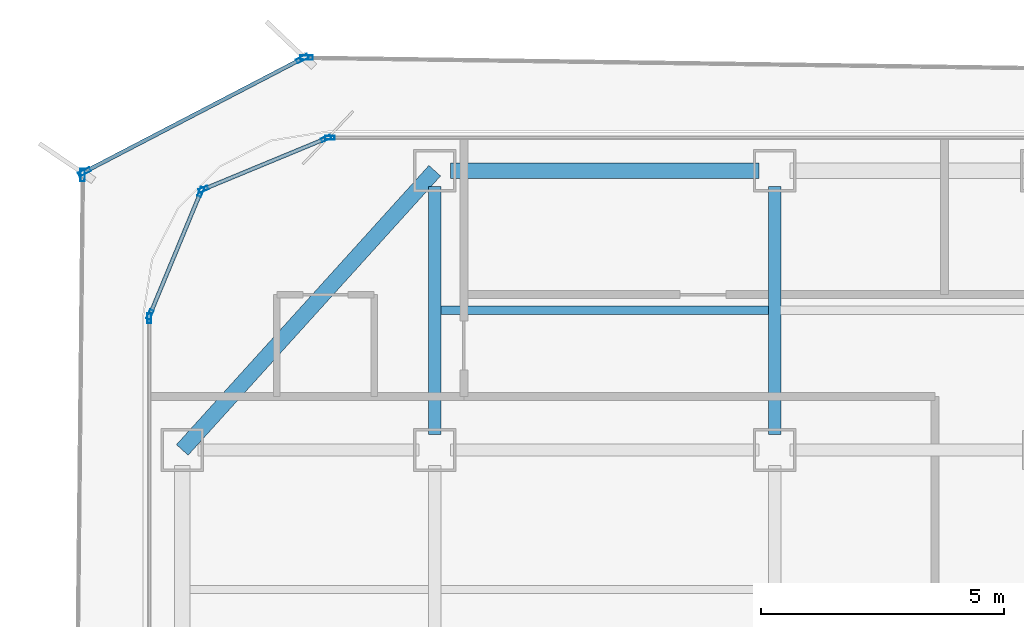
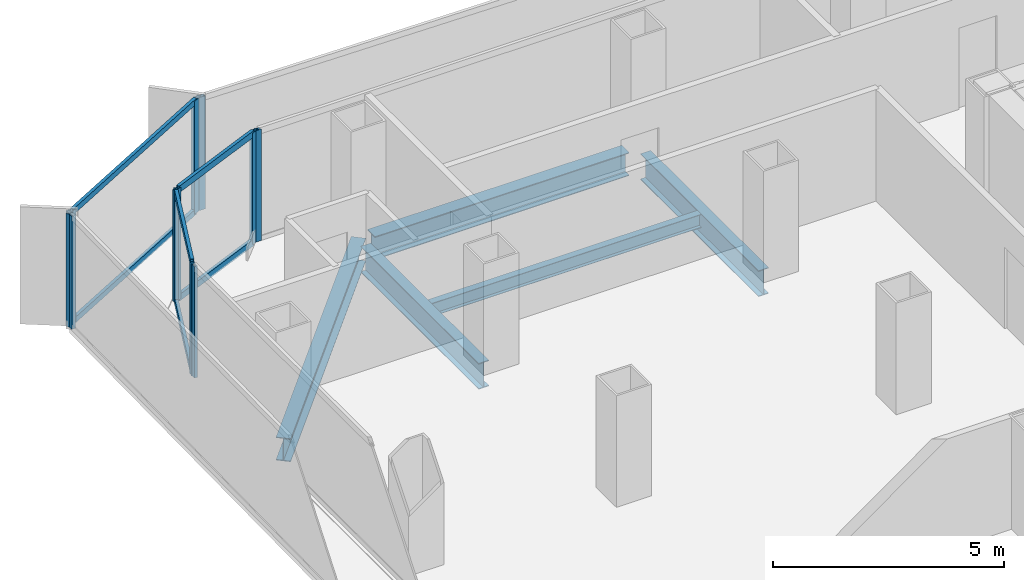
# One storey, part 10 of 21: 16 members, 5 beams, 7 elements without a shape of their own.
"""IFC4 building model written with IfcOpenShell, lengths in metres."""

import ifcopenshell
import ifcopenshell.guid

model = None  # the IFC model being written
_history = None  # IfcOwnerHistory: only IFC2X3 demands one
_inside = {}  # id of a spatial element -> (the spatial element, [elements in it])
_under = {}  # id of a project, library or spatial element -> (it, [spatial elements below it])
_declared = {}  # id of a project -> (the project, [libraries it declares])
_typed = {}  # id of a type object -> (the type object, [elements of that type])
_made_of = {}  # id of a material, layer set ... -> (it, [elements and type objects made of it])


def new_model(schema):
    """Start an empty IFC model of exactly this schema.

    Asked for "IFC4X3", IfcOpenShell would pick the latest addendum, in which some entities
    have other attributes; the version numbers below select the first issue.
    IFC2X3 requires an IfcOwnerHistory on every rooted entity: one is made here for all.
    """
    global model, _history
    if schema == "IFC4X3":
        model = ifcopenshell.file(schema_version=(4, 3, 0, 0))
    else:
        model = ifcopenshell.file(schema=schema)
    _inside.clear()
    _under.clear()
    _declared.clear()
    _typed.clear()
    _made_of.clear()
    _history = None
    if model.schema == "IFC2X3":
        org = make("IfcOrganization", Name="unknown")
        user = make(
            "IfcPersonAndOrganization",
            ThePerson=make("IfcPerson", FamilyName="unknown"),
            TheOrganization=org,
        )
        app = make(
            "IfcApplication",
            ApplicationDeveloper=org,
            Version="unknown",
            ApplicationFullName="unknown",
            ApplicationIdentifier="unknown",
        )
        _history = make(
            "IfcOwnerHistory",
            OwningUser=user,
            OwningApplication=app,
            ChangeAction="ADDED",
            CreationDate=0,
        )
    return model


def make(cls, **values):
    """One entity of the class cls with the attributes given. An attribute that is None is left unset."""
    return model.create_entity(
        cls, **{name: value for name, value in values.items() if value is not None}
    )


def rooted(cls, **values):
    """An entity with a GlobalId (a new one), such as an element, a storey or a relation."""
    return make(cls, GlobalId=ifcopenshell.guid.new(), OwnerHistory=_history, **values)


def si_unit(unit_type, name, prefix=None):
    """IfcSIUnit, for example si_unit("LENGTHUNIT", "METRE", prefix="MILLI")."""
    return make("IfcSIUnit", UnitType=unit_type, Prefix=prefix, Name=name)


def assignment(units):
    """IfcUnitAssignment: the units of a project."""
    return None if units is None else make("IfcUnitAssignment", Units=units)


def point(xyz):
    """IfcCartesianPoint."""
    return None if xyz is None else make("IfcCartesianPoint", Coordinates=xyz)


def direction(xyz):
    """IfcDirection."""
    return None if xyz is None else make("IfcDirection", DirectionRatios=xyz)


def frame(location, z_axis=None, x_axis=None):
    """IfcAxis2Placement3D, a coordinate frame: its origin and axes. An axis left out is left unset."""
    return make(
        "IfcAxis2Placement3D",
        Location=point(location),
        Axis=direction(z_axis),
        RefDirection=direction(x_axis),
    )


def frame_2d(location, x_axis=None):
    """IfcAxis2Placement2D, a coordinate frame in the plane: its origin and x axis."""
    return make(
        "IfcAxis2Placement2D", Location=point(location), RefDirection=direction(x_axis)
    )


def origin():
    """The frame at (0, 0, 0) with its axes left unset."""
    return frame((0.0, 0.0, 0.0))


def origin_2d():
    """The frame at (0, 0) in the plane with its x axis left unset."""
    return frame_2d((0.0, 0.0))


def place(relative_to, where):
    """IfcLocalPlacement: puts the frame where relative to a parent placement (None: the world)."""
    return make(
        "IfcLocalPlacement", PlacementRelTo=relative_to, RelativePlacement=where
    )


def context(
    kind, dimensions, precision=None, world=None, true_north=None, identifier=None
):
    """IfcGeometricRepresentationContext, for example the 3D "Model" context."""
    return make(
        "IfcGeometricRepresentationContext",
        ContextIdentifier=identifier,
        ContextType=kind,
        CoordinateSpaceDimension=dimensions,
        Precision=precision,
        WorldCoordinateSystem=world,
        TrueNorth=true_north,
    )


def subcontext(parent, identifier, kind, view, scale=None):
    """IfcGeometricRepresentationSubContext, for example "Body" below "Model"."""
    return make(
        "IfcGeometricRepresentationSubContext",
        ContextIdentifier=identifier,
        ContextType=kind,
        ParentContext=parent,
        TargetScale=scale,
        TargetView=view,
    )


def project(units=None, contexts=None):
    """IfcProject with its units and contexts."""
    return rooted(
        "IfcProject",
        Name="project",
        RepresentationContexts=contexts,
        UnitsInContext=assignment(units),
    )


def spatial(cls, under=None, at=None, **own):
    """A site, building, storey or space (cls), placed at a placement, below another one or the project."""
    s = rooted(cls, ObjectPlacement=at, **own)
    if under is not None:
        _under.setdefault(under.id(), (under, []))[1].append(s)
    return s


def profile(cls, at=None, kind="AREA", **sizes):
    """A parametric profile (cls). Its sizes go by their IFC names, for example OverallWidth=200.0."""
    return make(cls, ProfileType=kind, Position=at, **sizes)


def hollow_rectangle(**sizes):
    """IfcRectangleHollowProfileDef."""
    return profile("IfcRectangleHollowProfileDef", **sizes)


def i_section(**sizes):
    """IfcIShapeProfileDef."""
    return profile("IfcIShapeProfileDef", **sizes)


def extrude(swept, where, along, depth):
    """IfcExtrudedAreaSolid: the profile swept, set in the frame where, extruded along a direction by depth."""
    return make(
        "IfcExtrudedAreaSolid",
        SweptArea=swept,
        Position=where,
        ExtrudedDirection=direction(along),
        Depth=depth,
    )


def shape(context_of_items, identifier, shape_type, items):
    """IfcShapeRepresentation: the items that make up one representation, for example the "Body"."""
    return make(
        "IfcShapeRepresentation",
        ContextOfItems=context_of_items,
        RepresentationIdentifier=identifier,
        RepresentationType=shape_type,
        Items=items,
    )


def source(mapping_origin, context_of_items, identifier, shape_type, items):
    """IfcRepresentationMap: a shape defined once, which mapped items show again and again."""
    return make(
        "IfcRepresentationMap",
        MappingOrigin=mapping_origin,
        MappedRepresentation=shape(context_of_items, identifier, shape_type, items),
    )


def transform(
    local_origin,
    x_axis=None,
    y_axis=None,
    z_axis=None,
    scale=None,
    scale2=None,
    scale3=None,
    uniform=True,
):
    """IfcCartesianTransformationOperator3D, or its non-uniform kind. x_axis, y_axis, z_axis: its Axis1, 2, 3."""
    if uniform:
        return make(
            "IfcCartesianTransformationOperator3D",
            Axis1=direction(x_axis),
            Axis2=direction(y_axis),
            LocalOrigin=point(local_origin),
            Scale=scale,
            Axis3=direction(z_axis),
        )
    return make(
        "IfcCartesianTransformationOperator3DnonUniform",
        Axis1=direction(x_axis),
        Axis2=direction(y_axis),
        LocalOrigin=point(local_origin),
        Scale=scale,
        Axis3=direction(z_axis),
        Scale2=scale2,
        Scale3=scale3,
    )


def mapped(mapping_source, mapping_target):
    """IfcMappedItem: shows the shape of a source again, moved by a transform."""
    return make(
        "IfcMappedItem", MappingSource=mapping_source, MappingTarget=mapping_target
    )


def material(Name=None, Category=None):
    """IfcMaterial."""
    return make("IfcMaterial", Name=Name, Category=Category)


def layer(
    of_material, thickness, ventilated=None, Name=None, Category=None, Priority=None
):
    """IfcMaterialLayer: one layer of a wall or slab, of a material (None: an air gap)."""
    return make(
        "IfcMaterialLayer",
        Material=of_material,
        LayerThickness=thickness,
        IsVentilated=ventilated,
        Name=Name,
        Category=Category,
        Priority=Priority,
    )


def layer_set(layers, Name=None):
    """IfcMaterialLayerSet."""
    return make("IfcMaterialLayerSet", MaterialLayers=layers, LayerSetName=Name)


def material_profile(
    of_material, cross_section, Name=None, Category=None, Priority=None
):
    """IfcMaterialProfile: a cross section and its material."""
    return make(
        "IfcMaterialProfile",
        Name=Name,
        Material=of_material,
        Profile=cross_section,
        Priority=Priority,
        Category=Category,
    )


def profile_set(profiles, Name=None, composite=None):
    """IfcMaterialProfileSet."""
    return make(
        "IfcMaterialProfileSet",
        Name=Name,
        MaterialProfiles=profiles,
        CompositeProfile=composite,
    )


def made_of(thing, what):
    """Note that an element or type object is made of a material, layer set ...; save() writes the relation."""
    if what is not None:
        _made_of.setdefault(what.id(), (what, []))[1].append(thing)
    return thing


def type_object(cls, material=None, **own):
    """A type object (cls), such as IfcWallType, which elements share."""
    return made_of(rooted(cls, **own), material)


def element(
    cls,
    number,
    at=None,
    inside=None,
    cuts=None,
    type_object=None,
    material=None,
    context=None,
    identifier="Body",
    shape_type=None,
    held_by="IfcProductDefinitionShape",
    body=None,
    shapes=None,
    **own,
):
    """One element of the class cls, such as IfcWall. Its Tag is "e" and its number.

    at: its placement. inside: the storey or other place that contains it. cuts: it is an
    opening in that element (IfcRelVoidsElement). A single representation is given by context,
    identifier, shape_type and body (its items); several are given by shapes. held_by: the class
    of the entity that holds the representations. save() writes the other relations.
    """
    e = rooted(cls, Tag="e%d" % number, ObjectPlacement=at, **own)
    if body is not None:
        shapes = [shape(context, identifier, shape_type, body)]
    if shapes is not None:
        e.Representation = make(held_by, Representations=shapes)
    if inside is not None:
        _inside.setdefault(inside.id(), (inside, []))[1].append(e)
    if cuts is not None:
        rooted(
            "IfcRelVoidsElement", RelatingBuildingElement=cuts, RelatedOpeningElement=e
        )
    if type_object is not None:
        _typed.setdefault(type_object.id(), (type_object, []))[1].append(e)
    return made_of(e, material)


def aggregate(whole, parts):
    """IfcRelAggregates: a whole, such as a stair, and the parts it consists of."""
    return rooted("IfcRelAggregates", RelatingObject=whole, RelatedObjects=parts)


def save(model, path):
    """Write the relations noted so far, then the file.

    IfcRelAggregates (storeys below a building ...), IfcRelContainedInSpatialStructure (elements
    in a storey), IfcRelDefinesByType, IfcRelAssociatesMaterial and IfcRelDeclares: one each for
    every whole, place, type object, material and project.
    """
    for whole, parts in _under.values():
        aggregate(whole, parts)
    for where, things in _inside.values():
        rooted(
            "IfcRelContainedInSpatialStructure",
            RelatedElements=things,
            RelatingStructure=where,
        )
    for kind, things in _typed.values():
        rooted("IfcRelDefinesByType", RelatedObjects=things, RelatingType=kind)
    for what, things in _made_of.values():
        rooted("IfcRelAssociatesMaterial", RelatedObjects=things, RelatingMaterial=what)
    for by, libraries in _declared.values():
        rooted("IfcRelDeclares", RelatingContext=by, RelatedDefinitions=libraries)
    model.write(path)


model = new_model("IFC4")

# Units and contexts
model_context = context("Model", 3, precision=1e-05, world=origin(), true_north=direction((0.0, 1.0)))
body_context = subcontext(model_context, "Body", "Model", "MODEL_VIEW")
ifc_project = project(units=[si_unit("LENGTHUNIT", "METRE"), si_unit("AREAUNIT", "SQUARE_METRE"), si_unit("VOLUMEUNIT", "CUBIC_METRE"), si_unit("PLANEANGLEUNIT", "RADIAN"), si_unit("MASSUNIT", "GRAM", prefix="KILO")], contexts=[model_context])

# Site, building, storey
site_placement = place(None, origin())
site = spatial("IfcSite", under=ifc_project, at=site_placement, CompositionType="ELEMENT")
building_placement = place(site_placement, origin())
building = spatial("IfcBuilding", under=site, at=building_placement, Name="Kolveth Station Tower", CompositionType="ELEMENT")
storey_placement = place(building_placement, frame((0.0, 0.0, 131.10009765625)))
storey = spatial("IfcBuildingStorey", under=building, at=storey_placement, Name="L36", CompositionType="ELEMENT", Elevation=131.10009765625)

# Beams
ifc_material_1 = material(Name="Steel S355", Category="steel")
ifc_material_profile_1 = material_profile(ifc_material_1, i_section(OverallWidth=0.323974609375, OverallDepth=0.611083984375, WebThickness=0.0126953125, FlangeThickness=0.01904296875, at=origin_2d()), Name="W610x155")
ifc_profile_set_1 = profile_set([ifc_material_profile_1], Name="Steel S355")
beam_type_1 = type_object("IfcBeamType", Name="Beam_SP2", PredefinedType="SPANDREL", material=ifc_profile_set_1)
shared_shape_1 = source(origin(), body_context, "Body", "SweptSolid", [
    extrude(i_section(OverallWidth=0.323974609375, OverallDepth=0.611083984375, WebThickness=0.0126953125, FlangeThickness=0.01904296875, at=origin_2d()), origin(), (0.0, 0.0, 1.0), 6.35986328125),
])
beam_1_placement = place(storey_placement, frame((6.320068359375, 34.5, -0.5556640625), z_axis=(1.0, 0.0, 0.0), x_axis=(0.0, 1.0, 0.0)))
element("IfcBeam", 1, at=beam_1_placement, inside=storey, type_object=beam_type_1, Name="L36 Perimeter Spandrel BM-L36-PN-1", PredefinedType="SPANDREL", context=body_context, shape_type="MappedRepresentation", body=[
    mapped(shared_shape_1, transform((0.0, 0.0, 0.0), x_axis=(1.0, 0.0, 0.0), y_axis=(0.0, 1.0, 0.0), z_axis=(0.0, 0.0, 1.0), scale=1.0)),
])
shared_shape_2 = source(origin(), body_context, "Body", "SweptSolid", [
    extrude(i_section(OverallWidth=0.323974609375, OverallDepth=0.611083984375, WebThickness=0.0126953125, FlangeThickness=0.01904296875, at=origin_2d()), origin(), (0.0, 0.0, 1.0), 7.75244140625),
])
beam_2_placement = place(storey_placement, frame((6.0, 34.5, -0.5556640625), z_axis=(-0.670740965555, -0.74169168603, 0.0), x_axis=(0.74169168603, -0.670740965555, 0.0)))
element("IfcBeam", 2, at=beam_2_placement, inside=storey, type_object=beam_type_1, Name="L36 Corner Edge Girder BM-L36-CNR-NW", PredefinedType="SPANDREL", context=body_context, shape_type="MappedRepresentation", body=[
    mapped(shared_shape_2, transform((0.0, 0.0, 0.0), x_axis=(1.0, 0.0, 0.0), y_axis=(0.0, 1.0, 0.0), z_axis=(0.0, 0.0, 1.0), scale=1.0)),
])
ifc_material_profile_2 = material_profile(ifc_material_1, i_section(OverallWidth=0.25390625, OverallDepth=0.68798828125, WebThickness=0.01318359375, FlangeThickness=0.02099609375, at=origin_2d()), Name="W690x152")
ifc_profile_set_2 = profile_set([ifc_material_profile_2], Name="Steel S355")
beam_type_2 = type_object("IfcBeamType", Name="Beam_B4", PredefinedType="BEAM", material=ifc_profile_set_2)
shared_shape_3 = source(origin(), body_context, "Body", "SweptSolid", [
    extrude(i_section(OverallWidth=0.25390625, OverallDepth=0.68798828125, WebThickness=0.01318359375, FlangeThickness=0.02099609375, at=origin_2d()), origin(), (0.0, 0.0, 1.0), 5.10986328125),
])
for number, where, z_axis, x_axis, name in (
    (3, (6.0, 29.070068359375, -0.593994140625), (0.0, 1.0, 0.0), (-1.0, 0.0, 0.0), "L36 Primary Girder BM-L36-GX60-6"),
    (4, (13.0, 29.070068359375, -0.593994140625), (0.0, 1.0, 0.0), (-1.0, 0.0, 0.0), "L36 Primary Girder BM-L36-GX130-6"),
):
    element("IfcBeam", number, at=place(storey_placement, frame(where, z_axis=z_axis, x_axis=x_axis)), inside=storey, type_object=beam_type_2, Name=name, PredefinedType="BEAM", context=body_context, shape_type="MappedRepresentation", body=[
        mapped(shared_shape_3, transform((0.0, 0.0, 0.0), x_axis=(1.0, 0.0, 0.0), y_axis=(0.0, 1.0, 0.0), z_axis=(0.0, 0.0, 1.0), scale=1.0)),
    ])
ifc_material_profile_3 = material_profile(ifc_material_1, i_section(OverallWidth=0.1708984375, OverallDepth=0.35205078125, WebThickness=0.0068359375, FlangeThickness=0.009765625, at=origin_2d()), Name="W360x44")
ifc_profile_set_3 = profile_set([ifc_material_profile_3], Name="Steel S355")
beam_type_3 = type_object("IfcBeamType", Name="Beam_J2", PredefinedType="JOIST", material=ifc_profile_set_3)
shared_shape_4 = source(origin(), body_context, "Body", "SweptSolid", [
    extrude(i_section(OverallWidth=0.1708984375, OverallDepth=0.35205078125, WebThickness=0.0068359375, FlangeThickness=0.009765625, at=origin_2d()), origin(), (0.0, 0.0, 1.0), 6.75),
])
beam_3_placement = place(storey_placement, frame((6.125, 31.625, -0.426025390625), z_axis=(1.0, 0.0, 0.0), x_axis=(0.0, 1.0, 0.0)))
element("IfcBeam", 5, at=beam_3_placement, inside=storey, type_object=beam_type_3, Name="L36 Secondary Joist JST-L36-2-6", PredefinedType="JOIST", context=body_context, shape_type="MappedRepresentation", body=[
    mapped(shared_shape_4, transform((0.0, 0.0, 0.0), x_axis=(1.0, 0.0, 0.0), y_axis=(0.0, 1.0, 0.0), z_axis=(0.0, 0.0, 1.0), scale=1.0)),
])

# Curtain wall, member
ifc_material_2 = material(Name="Aluminium 6063-T6 and low-E dark glass", Category="aluminium")
ifc_layer_1 = layer(ifc_material_2, 0.18994140625)
ifc_layer_set_1 = layer_set([ifc_layer_1], Name="Aluminium 6063-T6 and low-E dark glass")
curtain_wall_type_1 = type_object("IfcCurtainWallType", Name="CurtainWall_CW-Z2", PredefinedType="NOTDEFINED", material=ifc_layer_set_1)
curtain_wall_1_placement = place(storey_placement, origin())
curtain_wall_1 = element("IfcCurtainWall", 6, at=curtain_wall_1_placement, inside=storey, type_object=curtain_wall_type_1, Name="L36 Inner Thermal Curtain Wall 6", PredefinedType="NOTDEFINED")
ifc_material_3 = material(Name="Black anodized aluminium 6063-T6", Category="aluminium")
ifc_material_profile_4 = material_profile(ifc_material_3, hollow_rectangle(XDim=0.080078125, YDim=0.199951171875, WallThickness=0.0048828125, at=origin_2d()), Name="ALU-80x200x5")
ifc_profile_set_4 = profile_set([ifc_material_profile_4], Name="Black anodized aluminium 6063-T6")
member_type_1 = type_object("IfcMemberType", Name="Mullion_ML2", PredefinedType="MULLION", material=ifc_profile_set_4)
shared_shape_5 = source(origin(), body_context, "Body", "SweptSolid", [
    extrude(hollow_rectangle(XDim=0.080078125, YDim=0.199951171875, WallThickness=0.0048828125, at=origin_2d()), origin(), (0.0, 0.0, 1.0), 2.949951171875),
])
member_1_placement = place(storey_placement, frame((3.840087890625, 35.179931640625, 0.0), z_axis=(0.0, 0.0, 1.0), x_axis=(0.0, -1.0, 0.0)))
member_1 = element("IfcMember", 7, at=member_1_placement, type_object=member_type_1, Name="CW-Z2 mullion 3", PredefinedType="MULLION", context=body_context, shape_type="MappedRepresentation", body=[
    mapped(shared_shape_5, transform((0.0, 0.0, 0.0), x_axis=(1.0, 0.0, 0.0), y_axis=(0.0, 1.0, 0.0), z_axis=(0.0, 0.0, 1.0), scale=1.0)),
])
aggregate(curtain_wall_1, [member_1])

# Curtain wall, members
curtain_wall_2_placement = place(storey_placement, origin())
curtain_wall_2 = element("IfcCurtainWall", 8, at=curtain_wall_2_placement, inside=storey, type_object=curtain_wall_type_1, Name="L36 Inner Thermal Curtain Wall 7", PredefinedType="NOTDEFINED")
member_2_placement = place(storey_placement, frame((3.762939453125, 35.164794921875, 0.0), z_axis=(0.0, 0.0, 1.0), x_axis=(0.38266326998, -0.923887883787, 0.0)))
member_2 = element("IfcMember", 9, at=member_2_placement, type_object=member_type_1, Name="CW-Z2 mullion 1", PredefinedType="MULLION", context=body_context, shape_type="MappedRepresentation", body=[
    mapped(shared_shape_5, transform((0.0, 0.0, 0.0), x_axis=(1.0, 0.0, 0.0), y_axis=(0.0, 1.0, 0.0), z_axis=(0.0, 0.0, 1.0), scale=1.0)),
])
member_3_placement = place(storey_placement, frame((1.23486328125, 34.117431640625, 0.0), z_axis=(0.0, 0.0, 1.0), x_axis=(0.38266326998, -0.923887883787, 0.0)))
member_3 = element("IfcMember", 10, at=member_3_placement, type_object=member_type_1, Name="CW-Z2 mullion 2", PredefinedType="MULLION", context=body_context, shape_type="MappedRepresentation", body=[
    mapped(shared_shape_5, transform((0.0, 0.0, 0.0), x_axis=(1.0, 0.0, 0.0), y_axis=(0.0, 1.0, 0.0), z_axis=(0.0, 0.0, 1.0), scale=1.0)),
])

curtain_wall_3_placement = place(storey_placement, origin())
curtain_wall_3 = element("IfcCurtainWall", 11, at=curtain_wall_3_placement, inside=storey, type_object=curtain_wall_type_1, Name="L36 Inner Thermal Curtain Wall 8", PredefinedType="NOTDEFINED")
member_4_placement = place(storey_placement, frame((1.182373046875, 34.065185546875, 0.0), z_axis=(0.0, 0.0, 1.0), x_axis=(0.923887883787, -0.38266326998, 0.0)))
member_4 = element("IfcMember", 12, at=member_4_placement, type_object=member_type_1, Name="CW-Z2 mullion 1", PredefinedType="MULLION", context=body_context, shape_type="MappedRepresentation", body=[
    mapped(shared_shape_5, transform((0.0, 0.0, 0.0), x_axis=(1.0, 0.0, 0.0), y_axis=(0.0, 1.0, 0.0), z_axis=(0.0, 0.0, 1.0), scale=1.0)),
])
member_5_placement = place(storey_placement, frame((0.13525390625, 31.536865234375, 0.0), z_axis=(0.0, 0.0, 1.0), x_axis=(0.923887883787, -0.38266326998, 0.0)))
member_5 = element("IfcMember", 13, at=member_5_placement, type_object=member_type_1, Name="CW-Z2 mullion 2", PredefinedType="MULLION", context=body_context, shape_type="MappedRepresentation", body=[
    mapped(shared_shape_5, transform((0.0, 0.0, 0.0), x_axis=(1.0, 0.0, 0.0), y_axis=(0.0, 1.0, 0.0), z_axis=(0.0, 0.0, 1.0), scale=1.0)),
])

# Curtain wall, member
curtain_wall_4_placement = place(storey_placement, origin())
curtain_wall_4 = element("IfcCurtainWall", 14, at=curtain_wall_4_placement, inside=storey, type_object=curtain_wall_type_1, Name="L36 Inner Thermal Curtain Wall 9", PredefinedType="NOTDEFINED")
member_6_placement = place(storey_placement, frame((0.1201171875, 31.4599609375, 0.0), z_axis=(0.0, 0.0, 1.0), x_axis=(1.0, 0.0, 0.0)))
member_6 = element("IfcMember", 15, at=member_6_placement, type_object=member_type_1, Name="CW-Z2 mullion 1", PredefinedType="MULLION", context=body_context, shape_type="MappedRepresentation", body=[
    mapped(shared_shape_5, transform((0.0, 0.0, 0.0), x_axis=(1.0, 0.0, 0.0), y_axis=(0.0, 1.0, 0.0), z_axis=(0.0, 0.0, 1.0), scale=1.0)),
])
aggregate(curtain_wall_4, [member_6])

# Member
ifc_material_profile_5 = material_profile(ifc_material_3, hollow_rectangle(XDim=0.080078125, YDim=0.169921875, WallThickness=0.0048828125, at=origin_2d()), Name="ALU-80x170x5")
ifc_profile_set_5 = profile_set([ifc_material_profile_5], Name="Black anodized aluminium 6063-T6")
member_type_2 = type_object("IfcMemberType", Name="Transom_TR2", PredefinedType="USERDEFINED", material=ifc_profile_set_5)
shared_shape_6 = source(origin(), body_context, "Body", "SweptSolid", [
    extrude(hollow_rectangle(XDim=0.080078125, YDim=0.169921875, WallThickness=0.0048828125, at=origin_2d()), origin(), (0.0, 0.0, 1.0), 2.656494140625),
])
member_7_placement = place(storey_placement, frame((3.72607421875, 35.1494140625, 0.039794921875), z_axis=(-0.923882422403, -0.382676455475, 0.0), x_axis=(0.382676455475, -0.923882422403, 0.0)))
member_7 = element("IfcMember", 16, at=member_7_placement, type_object=member_type_2, Name="CW-Z2 transom 1.1", ObjectType="TRANSOM", PredefinedType="USERDEFINED", context=body_context, shape_type="MappedRepresentation", body=[
    mapped(shared_shape_6, transform((0.0, 0.0, 0.0), x_axis=(1.0, 0.0, 0.0), y_axis=(0.0, 1.0, 0.0), z_axis=(0.0, 0.0, 1.0), scale=1.0)),
])

member_8_placement = place(storey_placement, frame((3.72607421875, 35.1494140625, 2.909912109375), z_axis=(-0.923882422403, -0.382676455475, 0.0), x_axis=(0.382676455475, -0.923882422403, 0.0)))
member_8 = element("IfcMember", 17, at=member_8_placement, type_object=member_type_2, Name="CW-Z2 transom 1.2", ObjectType="TRANSOM", PredefinedType="USERDEFINED", context=body_context, shape_type="MappedRepresentation", body=[
    mapped(shared_shape_6, transform((0.0, 0.0, 0.0), x_axis=(1.0, 0.0, 0.0), y_axis=(0.0, 1.0, 0.0), z_axis=(0.0, 0.0, 1.0), scale=1.0)),
])

aggregate(curtain_wall_2, [member_2, member_3, member_7, member_8])

member_9_placement = place(storey_placement, frame((1.167236328125, 34.0283203125, 0.039794921875), z_axis=(-0.382676455475, -0.923882422403, 0.0), x_axis=(0.923882422403, -0.382676455475, 0.0)))
member_9 = element("IfcMember", 18, at=member_9_placement, type_object=member_type_2, Name="CW-Z2 transom 1.1", ObjectType="TRANSOM", PredefinedType="USERDEFINED", context=body_context, shape_type="MappedRepresentation", body=[
    mapped(shared_shape_6, transform((0.0, 0.0, 0.0), x_axis=(1.0, 0.0, 0.0), y_axis=(0.0, 1.0, 0.0), z_axis=(0.0, 0.0, 1.0), scale=1.0)),
])

member_10_placement = place(storey_placement, frame((1.167236328125, 34.0283203125, 2.909912109375), z_axis=(-0.382676455475, -0.923882422403, 0.0), x_axis=(0.923882422403, -0.382676455475, 0.0)))
member_10 = element("IfcMember", 19, at=member_10_placement, type_object=member_type_2, Name="CW-Z2 transom 1.2", ObjectType="TRANSOM", PredefinedType="USERDEFINED", context=body_context, shape_type="MappedRepresentation", body=[
    mapped(shared_shape_6, transform((0.0, 0.0, 0.0), x_axis=(1.0, 0.0, 0.0), y_axis=(0.0, 1.0, 0.0), z_axis=(0.0, 0.0, 1.0), scale=1.0)),
])

aggregate(curtain_wall_3, [member_4, member_5, member_9, member_10])

# Curtain wall, member
ifc_material_4 = material(Name="Black anodized aluminium 6063-T6 and dark solar glass", Category="aluminium")
ifc_layer_2 = layer(ifc_material_4, 0.159912109375)
ifc_layer_set_2 = layer_set([ifc_layer_2], Name="Black anodized aluminium 6063-T6 and dark solar glass")
curtain_wall_type_2 = type_object("IfcCurtainWallType", Name="OUTER SKIN CW-OS", PredefinedType="NOTDEFINED", material=ifc_layer_set_2)
curtain_wall_5_placement = place(storey_placement, origin())
curtain_wall_5 = element("IfcCurtainWall", 20, at=curtain_wall_5_placement, inside=storey, type_object=curtain_wall_type_2, Name="L36 Outer Ventilated Skin Curtain Wall 4", PredefinedType="NOTDEFINED")
ifc_material_profile_6 = material_profile(ifc_material_3, hollow_rectangle(XDim=0.090087890625, YDim=0.260009765625, WallThickness=0.0048828125, at=origin_2d()), Name="ALU-90x260x5")
ifc_profile_set_6 = profile_set([ifc_material_profile_6], Name="Black anodized aluminium 6063-T6")
member_type_3 = type_object("IfcMemberType", Name="FIN MULLION ML-OS", PredefinedType="MULLION", material=ifc_profile_set_6)
shared_shape_7 = source(origin(), body_context, "Body", "SweptSolid", [
    extrude(hollow_rectangle(XDim=0.090087890625, YDim=0.260009765625, WallThickness=0.0048828125, at=origin_2d()), origin(), (0.0, 0.0, 1.0), 2.989990234375),
])
member_11_placement = place(storey_placement, frame((3.358154296875, 36.830078125, 0.0), z_axis=(0.0, 0.0, 1.0), x_axis=(-0.014195992047, -0.999899231828, 0.0)))
member_11 = element("IfcMember", 21, at=member_11_placement, type_object=member_type_3, Name="CW-OS mullion 2", PredefinedType="MULLION", context=body_context, shape_type="MappedRepresentation", body=[
    mapped(shared_shape_7, transform((0.0, 0.0, 0.0), x_axis=(1.0, 0.0, 0.0), y_axis=(0.0, 1.0, 0.0), z_axis=(0.0, 0.0, 1.0), scale=1.0)),
])
aggregate(curtain_wall_5, [member_11])

# Curtain wall, members
curtain_wall_6_placement = place(storey_placement, origin())
curtain_wall_6 = element("IfcCurtainWall", 22, at=curtain_wall_6_placement, inside=storey, type_object=curtain_wall_type_2, Name="L36 Outer Ventilated Skin Curtain Wall 5", PredefinedType="NOTDEFINED")
member_12_placement = place(storey_placement, frame((3.273193359375, 36.809814453125, 0.0), z_axis=(0.0, 0.0, 1.0), x_axis=(0.461603549022, -0.887086333753, 0.0)))
member_12 = element("IfcMember", 23, at=member_12_placement, type_object=member_type_3, Name="CW-OS mullion 1", PredefinedType="MULLION", context=body_context, shape_type="MappedRepresentation", body=[
    mapped(shared_shape_7, transform((0.0, 0.0, 0.0), x_axis=(1.0, 0.0, 0.0), y_axis=(0.0, 1.0, 0.0), z_axis=(0.0, 0.0, 1.0), scale=1.0)),
])
member_13_placement = place(storey_placement, frame((-1.21240234375, 34.4755859375, 0.0), z_axis=(0.0, 0.0, 1.0), x_axis=(0.461603549022, -0.887086333753, 0.0)))
member_13 = element("IfcMember", 24, at=member_13_placement, type_object=member_type_3, Name="CW-OS mullion 2", PredefinedType="MULLION", context=body_context, shape_type="MappedRepresentation", body=[
    mapped(shared_shape_7, transform((0.0, 0.0, 0.0), x_axis=(1.0, 0.0, 0.0), y_axis=(0.0, 1.0, 0.0), z_axis=(0.0, 0.0, 1.0), scale=1.0)),
])

# Curtain wall, member
curtain_wall_7_placement = place(storey_placement, origin())
curtain_wall_7 = element("IfcCurtainWall", 25, at=curtain_wall_7_placement, inside=storey, type_object=curtain_wall_type_2, Name="L36 Outer Ventilated Skin Curtain Wall 6", PredefinedType="NOTDEFINED")
member_14_placement = place(storey_placement, frame((-1.2529296875, 34.409912109375, 0.0), z_axis=(0.0, 0.0, 1.0), x_axis=(0.999942609448, -0.010713440661, 0.0)))
member_14 = element("IfcMember", 26, at=member_14_placement, type_object=member_type_3, Name="CW-OS mullion 1", PredefinedType="MULLION", context=body_context, shape_type="MappedRepresentation", body=[
    mapped(shared_shape_7, transform((0.0, 0.0, 0.0), x_axis=(1.0, 0.0, 0.0), y_axis=(0.0, 1.0, 0.0), z_axis=(0.0, 0.0, 1.0), scale=1.0)),
])
aggregate(curtain_wall_7, [member_14])

# Member
ifc_material_profile_7 = material_profile(ifc_material_3, hollow_rectangle(XDim=0.080078125, YDim=0.14990234375, WallThickness=0.0048828125, at=origin_2d()), Name="ALU-80x150x5")
ifc_profile_set_7 = profile_set([ifc_material_profile_7], Name="Black anodized aluminium 6063-T6")
member_type_4 = type_object("IfcMemberType", Name="Transom_TR-OS", PredefinedType="USERDEFINED", material=ifc_profile_set_7)
shared_shape_8 = source(origin(), body_context, "Body", "SweptSolid", [
    extrude(hollow_rectangle(XDim=0.080078125, YDim=0.14990234375, WallThickness=0.0048828125, at=origin_2d()), origin(), (0.0, 0.0, 1.0), 4.966552734375),
])
member_15_placement = place(storey_placement, frame((3.233154296875, 36.7890625, 0.039794921875), z_axis=(-0.887074304771, -0.461626664973, 0.0), x_axis=(0.461626664973, -0.887074304771, 0.0)))
member_15 = element("IfcMember", 27, at=member_15_placement, type_object=member_type_4, Name="CW-OS transom 1.1", ObjectType="TRANSOM", PredefinedType="USERDEFINED", context=body_context, shape_type="MappedRepresentation", body=[
    mapped(shared_shape_8, transform((0.0, 0.0, 0.0), x_axis=(1.0, 0.0, 0.0), y_axis=(0.0, 1.0, 0.0), z_axis=(0.0, 0.0, 1.0), scale=1.0)),
])

member_16_placement = place(storey_placement, frame((3.233154296875, 36.7890625, 2.949951171875), z_axis=(-0.887074304771, -0.461626664973, 0.0), x_axis=(0.461626664973, -0.887074304771, 0.0)))
member_16 = element("IfcMember", 28, at=member_16_placement, type_object=member_type_4, Name="CW-OS transom 1.2", ObjectType="TRANSOM", PredefinedType="USERDEFINED", context=body_context, shape_type="MappedRepresentation", body=[
    mapped(shared_shape_8, transform((0.0, 0.0, 0.0), x_axis=(1.0, 0.0, 0.0), y_axis=(0.0, 1.0, 0.0), z_axis=(0.0, 0.0, 1.0), scale=1.0)),
])

aggregate(curtain_wall_6, [member_12, member_13, member_15, member_16])

save(model, "model.ifc")
